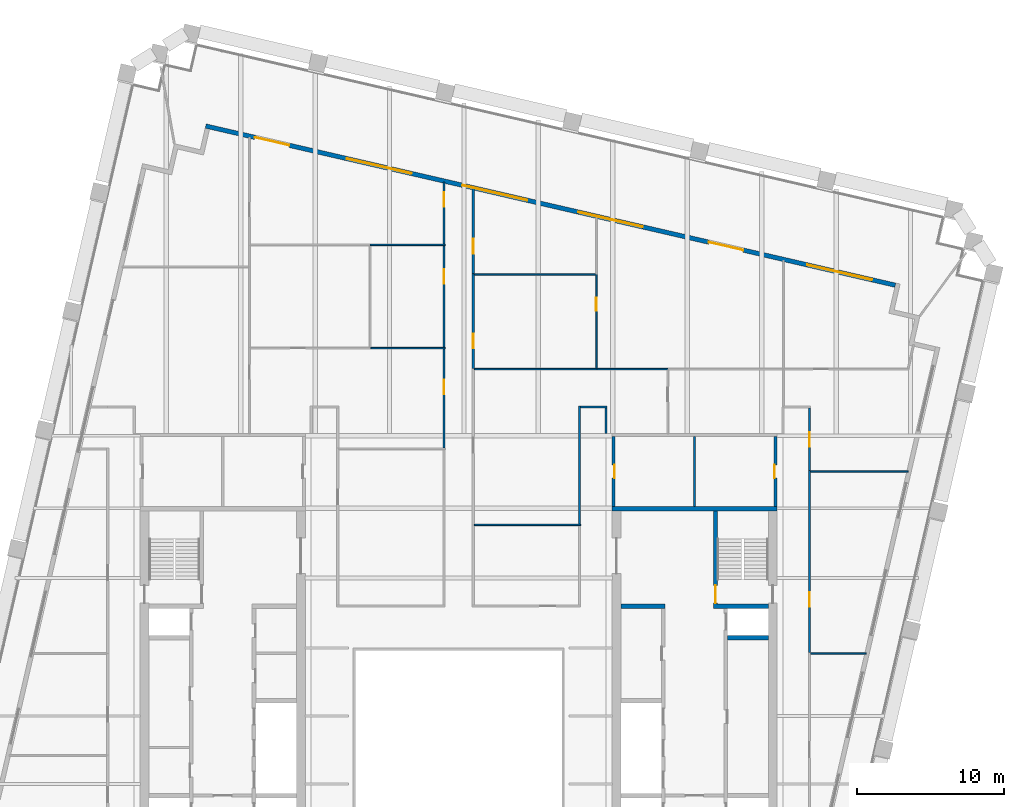
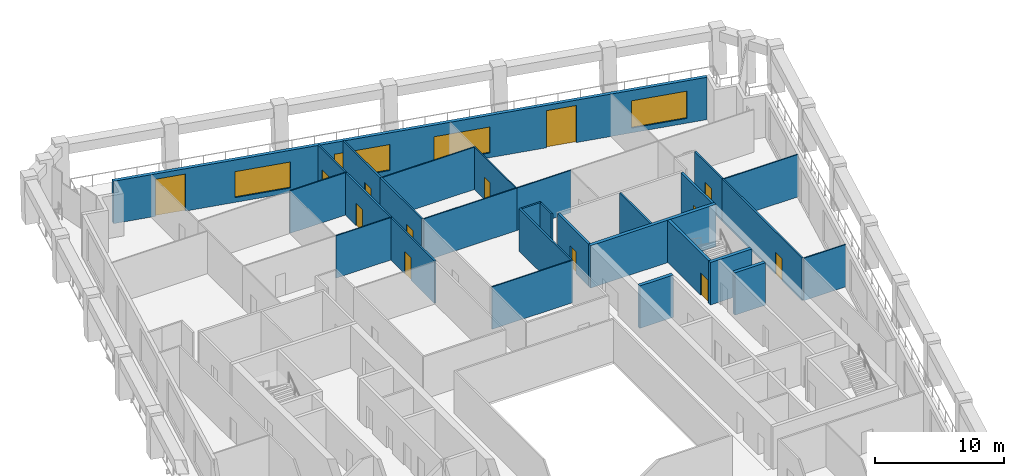
# One storey, part 8 of 10: 28 walls, 13 doors, 4 windows, 17 openings.
"""IFC4 building model written with IfcOpenShell, lengths in metres."""

from ifc_helpers import new_model, si_unit, direction, frame, frame_2d, origin, place, context, subcontext, project, spatial, rectangle, extrude, material, layer, layer_set, type_object, element, fill, save


model = new_model("IFC4")

# Units and contexts
model_context = context("Model", 3, precision=1e-05, world=origin(), true_north=direction((0.0, 1.0)))
body_context = subcontext(model_context, "Body", "Model", "MODEL_VIEW")
ifc_project = project(units=[si_unit("LENGTHUNIT", "METRE"), si_unit("AREAUNIT", "SQUARE_METRE"), si_unit("VOLUMEUNIT", "CUBIC_METRE"), si_unit("PLANEANGLEUNIT", "RADIAN"), si_unit("MASSUNIT", "GRAM", prefix="KILO")], contexts=[model_context])

# Site, building, storey
site_placement = place(None, origin())
site = spatial("IfcSite", under=ifc_project, at=site_placement, CompositionType="ELEMENT")
building_placement = place(site_placement, origin())
building = spatial("IfcBuilding", under=site, at=building_placement, Name="Ogive Exchange Tower", CompositionType="ELEMENT")
storey_placement = place(building_placement, frame((0.0, 0.0, 272.39990234375)))
storey = spatial("IfcBuildingStorey", under=building, at=storey_placement, Name="L59", CompositionType="ELEMENT", Elevation=272.39990234375)

# Walls
ifc_material_1 = material(Name="Gypsum board partition")
ifc_layer_1 = layer(ifc_material_1, 0.14990234375)
ifc_layer_set_1 = layer_set([ifc_layer_1], Name="Core room partition 150 gypsum")
wall_type_1 = type_object("IfcWallType", Name="Core room partition 150 gypsum", PredefinedType="PARTITIONING", material=ifc_layer_set_1)
wall_1_placement = place(storey_placement, frame((16.0, 25.75, 0.0), z_axis=(0.0, 0.0, 1.0), x_axis=(0.0, 1.0, 0.0)))
element("IfcWall", 1, at=wall_1_placement, inside=storey, type_object=wall_type_1, Name="E annex N column wall", PredefinedType="PARTITIONING", context=body_context, shape_type="SweptSolid", body=[
    extrude(rectangle(XDim=4.75, YDim=0.14990234375, at=frame_2d((2.375, 0.0))), origin(), (0.0, 0.0, 1.0), 4.0),
])
ifc_layer_2 = layer(ifc_material_1, 0.300048828125)
ifc_layer_set_2 = layer_set([ifc_layer_2], Name="Core room partition 300 gypsum")
wall_type_2 = type_object("IfcWallType", Name="Core room partition 300 gypsum", PredefinedType="PARTITIONING", material=ifc_layer_set_2)
wall_2_placement = place(storey_placement, frame((11.0, 19.0, 0.0), z_axis=(0.0, 0.0, 1.0), x_axis=(1.0, 0.0, 0.0)))
element("IfcWall", 2, at=wall_2_placement, inside=storey, type_object=wall_type_2, Name="E row B room end wall 7", PredefinedType="PARTITIONING", context=body_context, shape_type="SweptSolid", body=[
    extrude(rectangle(XDim=3.0, YDim=0.300048828125, at=frame_2d((1.5, 0.0))), origin(), (0.0, 0.0, 1.0), 4.0),
])

# Wall, opening, door
ifc_material_2 = material(Name="Fire partition EI 60 150")
ifc_layer_3 = layer(ifc_material_2, 0.14990234375)
ifc_layer_set_3 = layer_set([ifc_layer_3], Name="Fire partition EI 60 150")
wall_type_3 = type_object("IfcWallType", Name="Fire partition EI 60 150", PredefinedType="PARTITIONING", material=ifc_layer_set_3)
wall_3_placement = place(storey_placement, frame((-0.989990234375, 29.7099609375, 0.0), z_axis=(0.0, 0.0, 1.0), x_axis=(0.0, 1.0, 0.0)))
wall_3 = element("IfcWall", 3, at=wall_3_placement, inside=storey, type_object=wall_type_3, Name="L59-PWL-032", PredefinedType="PARTITIONING", context=body_context, shape_type="SweptSolid", body=[
    extrude(rectangle(XDim=6.739990234375, YDim=0.14990234375, at=frame_2d((3.3701171875, 0.0))), origin(), (0.0, 0.0, 1.0), 4.0),
])
opening_1_placement = place(wall_3_placement, frame((3.639892578125, 0.0, 0.0)))
opening_1 = element("IfcOpeningElement", 4, at=opening_1_placement, cuts=wall_3, Name="Opening L59-I16", PredefinedType="OPENING", context=body_context, shape_type="SweptSolid", body=[
    extrude(rectangle(XDim=1.0, YDim=2.10009765625, at=frame_2d((0.5, 1.050048828125))), frame((0.0, 0.0849609375, 0.0), z_axis=(0.0, -1.0, 0.0), x_axis=(1.0, 0.0, 0.0)), (0.0, 0.0, 1.0), 0.169921875),
])
ifc_material_3 = material(Name="Fire door FD 30S 1000 x 2100")
door_type_1 = type_object("IfcDoorType", Name="Fire door FD 30S 1000 x 2100", OperationType="NOTDEFINED", PredefinedType="DOOR", material=ifc_material_3)
door_1_placement = place(opening_1_placement, origin())
door_1 = element("IfcDoor", 5, at=door_1_placement, inside=storey, type_object=door_type_1, Name="L59-IDR-016", ObjectType="DT3", OperationType="SINGLE_SWING_LEFT", OverallHeight=2.10009765625, OverallWidth=1.0, PredefinedType="DOOR", context=body_context, shape_type="SweptSolid", body=[
    extrude(rectangle(XDim=1.0, YDim=2.10009765625, at=frame_2d((0.5, 1.050048828125))), frame((0.0, 0.02490234375, 0.0), z_axis=(0.0, -1.0, 0.0), x_axis=(1.0, 0.0, 0.0)), (0.0, 0.0, 1.0), 0.050048828125),
])
fill(opening_1, door_1)

wall_4_placement = place(storey_placement, frame((-0.989990234375, 36.550048828125, 0.0), z_axis=(0.0, 0.0, 1.0), x_axis=(0.0, 1.0, 0.0)))
wall_4 = element("IfcWall", 6, at=wall_4_placement, inside=storey, type_object=wall_type_3, Name="L59-PWL-033", PredefinedType="PARTITIONING", context=body_context, shape_type="SweptSolid", body=[
    extrude(rectangle(XDim=6.89990234375, YDim=0.14990234375, at=frame_2d((3.449951171875, 0.0))), origin(), (0.0, 0.0, 1.0), 4.0),
])
opening_2_placement = place(wall_4_placement, frame((4.300048828125, 0.0, 0.0)))
opening_2 = element("IfcOpeningElement", 7, at=opening_2_placement, cuts=wall_4, Name="Opening L59-I18", PredefinedType="OPENING", context=body_context, shape_type="SweptSolid", body=[
    extrude(rectangle(XDim=1.0, YDim=2.10009765625, at=frame_2d((0.5, 1.050048828125))), frame((0.0, 0.0849609375, 0.0), z_axis=(0.0, -1.0, 0.0), x_axis=(1.0, 0.0, 0.0)), (0.0, 0.0, 1.0), 0.169921875),
])
door_2_placement = place(opening_2_placement, origin())
door_2 = element("IfcDoor", 8, at=door_2_placement, inside=storey, type_object=door_type_1, Name="L59-IDR-018", ObjectType="DT3", OperationType="SINGLE_SWING_LEFT", OverallHeight=2.10009765625, OverallWidth=1.0, PredefinedType="DOOR", context=body_context, shape_type="SweptSolid", body=[
    extrude(rectangle(XDim=1.0, YDim=2.10009765625, at=frame_2d((0.5, 1.050048828125))), frame((0.0, 0.02490234375, 0.0), z_axis=(0.0, -1.0, 0.0), x_axis=(1.0, 0.0, 0.0)), (0.0, 0.0, 1.0), 0.050048828125),
])
fill(opening_2, door_2)

wall_5_placement = place(storey_placement, frame((-0.989990234375, 43.550048828125, 0.0), z_axis=(0.0, 0.0, 1.0), x_axis=(0.0, 1.0, 0.0)))
wall_5 = element("IfcWall", 9, at=wall_5_placement, inside=storey, type_object=wall_type_3, Name="L59-PWL-034", PredefinedType="PARTITIONING", context=body_context, shape_type="SweptSolid", body=[
    extrude(rectangle(XDim=4.202880859375, YDim=0.14990234375, at=frame_2d((2.1015625, 0.0))), origin(), (0.0, 0.0, 1.0), 4.0),
])
opening_3_placement = place(wall_5_placement, frame((2.530029296875, 0.0, 0.0)))
opening_3 = element("IfcOpeningElement", 10, at=opening_3_placement, cuts=wall_5, Name="Opening L59-I19", PredefinedType="OPENING", context=body_context, shape_type="SweptSolid", body=[
    extrude(rectangle(XDim=1.0, YDim=2.10009765625, at=frame_2d((0.5, 1.050048828125))), frame((0.0, 0.0849609375, 0.0), z_axis=(0.0, -1.0, 0.0), x_axis=(1.0, 0.0, 0.0)), (0.0, 0.0, 1.0), 0.169921875),
])
door_3_placement = place(opening_3_placement, origin())
door_3 = element("IfcDoor", 11, at=door_3_placement, inside=storey, type_object=door_type_1, Name="L59-IDR-019", ObjectType="DT3", OperationType="SINGLE_SWING_LEFT", OverallHeight=2.10009765625, OverallWidth=1.0, PredefinedType="DOOR", context=body_context, shape_type="SweptSolid", body=[
    extrude(rectangle(XDim=1.0, YDim=2.10009765625, at=frame_2d((0.5, 1.050048828125))), frame((0.0, 0.02490234375, 0.0), z_axis=(0.0, -1.0, 0.0), x_axis=(1.0, 0.0, 0.0)), (0.0, 0.0, 1.0), 0.050048828125),
])
fill(opening_3, door_3)

wall_6_placement = place(storey_placement, frame((0.989990234375, 41.550048828125, 0.0), z_axis=(0.0, 0.0, 1.0), x_axis=(0.0, -1.0, 0.0)))
wall_6 = element("IfcWall", 12, at=wall_6_placement, inside=storey, type_object=wall_type_3, Name="L59-PWL-040", PredefinedType="PARTITIONING", context=body_context, shape_type="SweptSolid", body=[
    extrude(rectangle(XDim=6.429931640625, YDim=0.14990234375, at=frame_2d((3.21484375, 0.0))), origin(), (0.0, 0.0, 1.0), 4.0),
])
opening_4_placement = place(wall_6_placement, frame((4.080078125, 0.0, 0.0)))
opening_4 = element("IfcOpeningElement", 13, at=opening_4_placement, cuts=wall_6, Name="Opening L59-I03", PredefinedType="OPENING", context=body_context, shape_type="SweptSolid", body=[
    extrude(rectangle(XDim=1.0, YDim=2.10009765625, at=frame_2d((0.5, 1.050048828125))), frame((0.0, 0.0849609375, 0.0), z_axis=(0.0, -1.0, 0.0), x_axis=(1.0, 0.0, 0.0)), (0.0, 0.0, 1.0), 0.169921875),
])
door_4_placement = place(opening_4_placement, origin())
door_4 = element("IfcDoor", 14, at=door_4_placement, inside=storey, type_object=door_type_1, Name="L59-IDR-003", ObjectType="DT3", OperationType="SINGLE_SWING_LEFT", OverallHeight=2.10009765625, OverallWidth=1.0, PredefinedType="DOOR", context=body_context, shape_type="SweptSolid", body=[
    extrude(rectangle(XDim=1.0, YDim=2.10009765625, at=frame_2d((0.5, 1.050048828125))), frame((0.0, 0.02490234375, 0.0), z_axis=(0.0, -1.0, 0.0), x_axis=(1.0, 0.0, 0.0)), (0.0, 0.0, 1.0), 0.050048828125),
])
fill(opening_4, door_4)

wall_7_placement = place(storey_placement, frame((0.989990234375, 47.2958984375, 0.0), z_axis=(0.0, 0.0, 1.0), x_axis=(0.0, -1.0, 0.0)))
wall_7 = element("IfcWall", 15, at=wall_7_placement, inside=storey, type_object=wall_type_3, Name="L59-PWL-041", PredefinedType="PARTITIONING", context=body_context, shape_type="SweptSolid", body=[
    extrude(rectangle(XDim=5.745849609375, YDim=0.14990234375, at=frame_2d((2.873046875, 0.0))), origin(), (0.0, 0.0, 1.0), 4.0),
])
opening_5_placement = place(wall_7_placement, frame((3.39599609375, 0.0, 0.0)))
opening_5 = element("IfcOpeningElement", 16, at=opening_5_placement, cuts=wall_7, Name="Opening L59-I02", PredefinedType="OPENING", context=body_context, shape_type="SweptSolid", body=[
    extrude(rectangle(XDim=1.0, YDim=2.10009765625, at=frame_2d((0.5, 1.050048828125))), frame((0.0, 0.0849609375, 0.0), z_axis=(0.0, -1.0, 0.0), x_axis=(1.0, 0.0, 0.0)), (0.0, 0.0, 1.0), 0.169921875),
])
door_5_placement = place(opening_5_placement, origin())
door_5 = element("IfcDoor", 17, at=door_5_placement, inside=storey, type_object=door_type_1, Name="L59-IDR-002", ObjectType="DT3", OperationType="SINGLE_SWING_LEFT", OverallHeight=2.10009765625, OverallWidth=1.0, PredefinedType="DOOR", context=body_context, shape_type="SweptSolid", body=[
    extrude(rectangle(XDim=1.0, YDim=2.10009765625, at=frame_2d((0.5, 1.050048828125))), frame((0.0, 0.02490234375, 0.0), z_axis=(0.0, -1.0, 0.0), x_axis=(1.0, 0.0, 0.0)), (0.0, 0.0, 1.0), 0.050048828125),
])
fill(opening_5, door_5)

# Walls
wall_8_placement = place(storey_placement, frame((8.199951171875, 24.550048828125, 0.0), z_axis=(0.0, 0.0, 1.0), x_axis=(0.0, 1.0, 0.0)))
element("IfcWall", 18, at=wall_8_placement, inside=storey, type_object=wall_type_3, Name="L59-PWL-043", PredefinedType="PARTITIONING", context=body_context, shape_type="SweptSolid", body=[
    extrude(rectangle(XDim=8.02490234375, YDim=0.14990234375, at=frame_2d((4.012451171875, 0.0))), origin(), (0.0, 0.0, 1.0), 4.0),
])
wall_9_placement = place(storey_placement, frame((8.27490234375, 32.5, 0.0), z_axis=(0.0, 0.0, 1.0), x_axis=(1.0, 0.0, 0.0)))
element("IfcWall", 19, at=wall_9_placement, inside=storey, type_object=wall_type_3, Name="L59-PWL-044", PredefinedType="PARTITIONING", context=body_context, shape_type="SweptSolid", body=[
    extrude(rectangle(XDim=1.800048828125, YDim=0.14990234375, at=frame_2d((0.89990234375, 0.0))), origin(), (0.0, 0.0, 1.0), 4.0),
])
wall_10_placement = place(storey_placement, frame((10.0, 32.425048828125, 0.0), z_axis=(0.0, 0.0, 1.0), x_axis=(0.0, -1.0, 0.0)))
element("IfcWall", 20, at=wall_10_placement, inside=storey, type_object=wall_type_3, Name="L59-PWL-053", PredefinedType="PARTITIONING", context=body_context, shape_type="SweptSolid", body=[
    extrude(rectangle(XDim=1.72509765625, YDim=0.14990234375, at=frame_2d((0.862548828125, 0.0))), origin(), (0.0, 0.0, 1.0), 4.0),
])

# Wall, opening, door
wall_11_placement = place(storey_placement, frame((23.800048828125, 28.18994140625, 0.0), z_axis=(0.0, 0.0, 1.0), x_axis=(0.0, -1.0, 0.0)))
wall_11 = element("IfcWall", 21, at=wall_11_placement, inside=storey, type_object=wall_type_3, Name="L59-PWL-068", PredefinedType="PARTITIONING", context=body_context, shape_type="SweptSolid", body=[
    extrude(rectangle(XDim=12.349853515625, YDim=0.14990234375, at=frame_2d((6.1748046875, 0.0))), origin(), (0.0, 0.0, 1.0), 4.0),
])
opening_6_placement = place(wall_11_placement, frame((8.25, 0.0, 0.0)))
opening_6 = element("IfcOpeningElement", 22, at=opening_6_placement, cuts=wall_11, Name="Opening L59-I11", PredefinedType="OPENING", context=body_context, shape_type="SweptSolid", body=[
    extrude(rectangle(XDim=1.0, YDim=2.10009765625, at=frame_2d((0.5, 1.050048828125))), frame((0.0, 0.0849609375, 0.0), z_axis=(0.0, -1.0, 0.0), x_axis=(1.0, 0.0, 0.0)), (0.0, 0.0, 1.0), 0.169921875),
])
door_6_placement = place(opening_6_placement, origin())
door_6 = element("IfcDoor", 23, at=door_6_placement, inside=storey, type_object=door_type_1, Name="L59-IDR-011", ObjectType="DT3", OperationType="SINGLE_SWING_LEFT", OverallHeight=2.10009765625, OverallWidth=1.0, PredefinedType="DOOR", context=body_context, shape_type="SweptSolid", body=[
    extrude(rectangle(XDim=1.0, YDim=2.10009765625, at=frame_2d((0.5, 1.050048828125))), frame((0.0, 0.02490234375, 0.0), z_axis=(0.0, -1.0, 0.0), x_axis=(1.0, 0.0, 0.0)), (0.0, 0.0, 1.0), 0.050048828125),
])
fill(opening_6, door_6)

wall_12_placement = place(storey_placement, frame((23.800048828125, 32.425048828125, 0.0), z_axis=(0.0, 0.0, 1.0), x_axis=(0.0, -1.0, 0.0)))
wall_12 = element("IfcWall", 24, at=wall_12_placement, inside=storey, type_object=wall_type_3, Name="L59-PWL-070", PredefinedType="PARTITIONING", context=body_context, shape_type="SweptSolid", body=[
    extrude(rectangle(XDim=4.235107421875, YDim=0.14990234375, at=frame_2d((2.11767578125, 0.0))), origin(), (0.0, 0.0, 1.0), 4.0),
])
opening_7_placement = place(wall_12_placement, frame((1.635009765625, 0.0, 0.0)))
opening_7 = element("IfcOpeningElement", 25, at=opening_7_placement, cuts=wall_12, Name="Opening L59-I12", PredefinedType="OPENING", context=body_context, shape_type="SweptSolid", body=[
    extrude(rectangle(XDim=1.0, YDim=2.10009765625, at=frame_2d((0.5, 1.050048828125))), frame((0.0, 0.0849609375, 0.0), z_axis=(0.0, -1.0, 0.0), x_axis=(1.0, 0.0, 0.0)), (0.0, 0.0, 1.0), 0.169921875),
])
door_7_placement = place(opening_7_placement, origin())
door_7 = element("IfcDoor", 26, at=door_7_placement, inside=storey, type_object=door_type_1, Name="L59-IDR-012", ObjectType="DT3", OperationType="SINGLE_SWING_LEFT", OverallHeight=2.10009765625, OverallWidth=1.0, PredefinedType="DOOR", context=body_context, shape_type="SweptSolid", body=[
    extrude(rectangle(XDim=1.0, YDim=2.10009765625, at=frame_2d((0.5, 1.050048828125))), frame((0.0, 0.02490234375, 0.0), z_axis=(0.0, -1.0, 0.0), x_axis=(1.0, 0.0, 0.0)), (0.0, 0.0, 1.0), 0.050048828125),
])
fill(opening_7, door_7)

# Wall, openings, doors, windows
ifc_material_4 = material(Name="Precast concrete C40/50", Category="concrete")
ifc_layer_4 = layer(ifc_material_4, 0.300048828125)
ifc_layer_set_4 = layer_set([ifc_layer_4], Name="Limestone-faced wall 300")
wall_type_4 = type_object("IfcWallType", Name="Limestone-faced wall 300", PredefinedType="STANDARD", material=ifc_layer_set_4)
wall_13_placement = place(storey_placement, frame((29.6162109375, 40.75830078125, 0.0), z_axis=(0.0, 0.0, 1.0), x_axis=(-0.974370532314, 0.224949029246, 0.0)))
wall_13 = element("IfcWall", 27, at=wall_13_placement, inside=storey, type_object=wall_type_4, Name="External wall N3", PredefinedType="STANDARD", context=body_context, shape_type="SweptSolid", body=[
    extrude(rectangle(XDim=48.000244140625, YDim=0.300048828125, at=frame_2d((24.0, 0.0))), origin(), (0.0, 0.0, 1.0), 4.0),
])
opening_8_placement = place(wall_13_placement, frame((1.625, 0.0, 0.449951171875)))
opening_8 = element("IfcOpeningElement", 28, at=opening_8_placement, cuts=wall_13, Name="Opening W1M", PredefinedType="OPENING", context=body_context, shape_type="SweptSolid", body=[
    extrude(rectangle(XDim=4.5, YDim=2.574951171875, at=frame_2d((2.25, 1.28759765625))), frame((0.0, 0.159912109375, 0.0), z_axis=(0.0, -1.0, 0.0), x_axis=(1.0, 0.0, 0.0)), (0.0, 0.0, 1.0), 0.320068359375),
])
opening_9_placement = place(wall_13_placement, frame((10.574951171875, 0.0, 0.0)))
opening_9 = element("IfcOpeningElement", 29, at=opening_9_placement, cuts=wall_13, Name="Opening D1", PredefinedType="OPENING", context=body_context, shape_type="SweptSolid", body=[
    extrude(rectangle(XDim=2.39990234375, YDim=3.5, at=frame_2d((1.199951171875, 1.75))), frame((0.0, 0.159912109375, 0.0), z_axis=(0.0, -1.0, 0.0), x_axis=(1.0, 0.0, 0.0)), (0.0, 0.0, 1.0), 0.320068359375),
])
opening_10_placement = place(wall_13_placement, frame((17.574951171875, 0.0, 0.449951171875)))
opening_10 = element("IfcOpeningElement", 30, at=opening_10_placement, cuts=wall_13, Name="Opening W1Q", PredefinedType="OPENING", context=body_context, shape_type="SweptSolid", body=[
    extrude(rectangle(XDim=4.5, YDim=2.449951171875, at=frame_2d((2.25, 1.22509765625))), frame((0.0, 0.159912109375, 0.0), z_axis=(0.0, -1.0, 0.0), x_axis=(1.0, 0.0, 0.0)), (0.0, 0.0, 1.0), 0.320068359375),
])
opening_11_placement = place(wall_13_placement, frame((25.625, 0.0, 0.449951171875)))
opening_11 = element("IfcOpeningElement", 31, at=opening_11_placement, cuts=wall_13, Name="Opening W1Q", PredefinedType="OPENING", context=body_context, shape_type="SweptSolid", body=[
    extrude(rectangle(XDim=4.5, YDim=2.449951171875, at=frame_2d((2.25, 1.22509765625))), frame((0.0, 0.159912109375, 0.0), z_axis=(0.0, -1.0, 0.0), x_axis=(1.0, 0.0, 0.0)), (0.0, 0.0, 1.0), 0.320068359375),
])
opening_12_placement = place(wall_13_placement, frame((33.675048828125, 0.0, 0.449951171875)))
opening_12 = element("IfcOpeningElement", 32, at=opening_12_placement, cuts=wall_13, Name="Opening W1Q", PredefinedType="OPENING", context=body_context, shape_type="SweptSolid", body=[
    extrude(rectangle(XDim=4.5, YDim=2.449951171875, at=frame_2d((2.25, 1.22509765625))), frame((0.0, 0.159912109375, 0.0), z_axis=(0.0, -1.0, 0.0), x_axis=(1.0, 0.0, 0.0)), (0.0, 0.0, 1.0), 0.320068359375),
])
opening_13_placement = place(wall_13_placement, frame((42.175048828125, 0.0, 0.0)))
opening_13 = element("IfcOpeningElement", 33, at=opening_13_placement, cuts=wall_13, Name="Opening D1", PredefinedType="OPENING", context=body_context, shape_type="SweptSolid", body=[
    extrude(rectangle(XDim=2.39990234375, YDim=3.5, at=frame_2d((1.199951171875, 1.75))), frame((0.0, 0.159912109375, 0.0), z_axis=(0.0, -1.0, 0.0), x_axis=(1.0, 0.0, 0.0)), (0.0, 0.0, 1.0), 0.320068359375),
])
ifc_material_5 = material(Name="Clear glass in bronze frame", Category="glass")
door_type_2 = type_object("IfcDoorType", Name="Sliding loggia door 2400 x 3500", OperationType="DOUBLE_DOOR_SLIDING", PredefinedType="DOOR", material=ifc_material_5)
door_8_placement = place(opening_9_placement, origin())
door_8 = element("IfcDoor", 34, at=door_8_placement, inside=storey, type_object=door_type_2, Name="Loggia door N01", OperationType="DOUBLE_DOOR_SLIDING", OverallHeight=3.5, OverallWidth=2.39990234375, PredefinedType="DOOR", context=body_context, shape_type="SweptSolid", body=[
    extrude(rectangle(XDim=2.39990234375, YDim=3.5, at=frame_2d((1.199951171875, 1.75))), frame((0.0, 0.02490234375, 0.0), z_axis=(0.0, -1.0, 0.0), x_axis=(1.0, 0.0, 0.0)), (0.0, 0.0, 1.0), 0.050048828125),
])
fill(opening_9, door_8)
door_9_placement = place(opening_13_placement, origin())
door_9 = element("IfcDoor", 35, at=door_9_placement, inside=storey, type_object=door_type_2, Name="Loggia door N05", OperationType="DOUBLE_DOOR_SLIDING", OverallHeight=3.5, OverallWidth=2.39990234375, PredefinedType="DOOR", context=body_context, shape_type="SweptSolid", body=[
    extrude(rectangle(XDim=2.39990234375, YDim=3.5, at=frame_2d((1.199951171875, 1.75))), frame((0.0, 0.02490234375, 0.0), z_axis=(0.0, -1.0, 0.0), x_axis=(1.0, 0.0, 0.0)), (0.0, 0.0, 1.0), 0.050048828125),
])
fill(opening_13, door_9)
window_type_1 = type_object("IfcWindowType", Name="Twin lancet window 4500 x 2450", PartitioningType="DOUBLE_PANEL_VERTICAL", PredefinedType="WINDOW", material=ifc_material_5)
window_1_placement = place(opening_10_placement, origin())
window_1 = element("IfcWindow", 36, at=window_1_placement, inside=storey, type_object=window_type_1, Name="Window N02", OverallHeight=2.449951171875, OverallWidth=4.5, PartitioningType="DOUBLE_PANEL_VERTICAL", PredefinedType="WINDOW", context=body_context, shape_type="SweptSolid", body=[
    extrude(rectangle(XDim=4.5, YDim=2.449951171875, at=frame_2d((2.25, 1.22509765625))), frame((0.0, 0.030029296875, 0.0), z_axis=(0.0, -1.0, 0.0), x_axis=(1.0, 0.0, 0.0)), (0.0, 0.0, 1.0), 0.06005859375),
])
fill(opening_10, window_1)
window_2_placement = place(opening_11_placement, origin())
window_2 = element("IfcWindow", 37, at=window_2_placement, inside=storey, type_object=window_type_1, Name="Window N03", OverallHeight=2.449951171875, OverallWidth=4.5, PartitioningType="DOUBLE_PANEL_VERTICAL", PredefinedType="WINDOW", context=body_context, shape_type="SweptSolid", body=[
    extrude(rectangle(XDim=4.5, YDim=2.449951171875, at=frame_2d((2.25, 1.22509765625))), frame((0.0, 0.030029296875, 0.0), z_axis=(0.0, -1.0, 0.0), x_axis=(1.0, 0.0, 0.0)), (0.0, 0.0, 1.0), 0.06005859375),
])
fill(opening_11, window_2)
window_3_placement = place(opening_12_placement, origin())
window_3 = element("IfcWindow", 38, at=window_3_placement, inside=storey, type_object=window_type_1, Name="Window N04", OverallHeight=2.449951171875, OverallWidth=4.5, PartitioningType="DOUBLE_PANEL_VERTICAL", PredefinedType="WINDOW", context=body_context, shape_type="SweptSolid", body=[
    extrude(rectangle(XDim=4.5, YDim=2.449951171875, at=frame_2d((2.25, 1.22509765625))), frame((0.0, 0.030029296875, 0.0), z_axis=(0.0, -1.0, 0.0), x_axis=(1.0, 0.0, 0.0)), (0.0, 0.0, 1.0), 0.06005859375),
])
fill(opening_12, window_3)
window_type_2 = type_object("IfcWindowType", Name="Twin lancet window 4500 x 2575", PartitioningType="DOUBLE_PANEL_VERTICAL", PredefinedType="WINDOW", material=ifc_material_5)
window_4_placement = place(opening_8_placement, origin())
window_4 = element("IfcWindow", 39, at=window_4_placement, inside=storey, type_object=window_type_2, Name="Window N00", OverallHeight=2.574951171875, OverallWidth=4.5, PartitioningType="DOUBLE_PANEL_VERTICAL", PredefinedType="WINDOW", context=body_context, shape_type="SweptSolid", body=[
    extrude(rectangle(XDim=4.5, YDim=2.574951171875, at=frame_2d((2.25, 1.28759765625))), frame((0.0, 0.030029296875, 0.0), z_axis=(0.0, -1.0, 0.0), x_axis=(1.0, 0.0, 0.0)), (0.0, 0.0, 1.0), 0.06005859375),
])
fill(opening_8, window_4)

# Walls
ifc_material_6 = material(Name="Partition 100 gypsum")
ifc_layer_5 = layer(ifc_material_6, 0.10009765625)
ifc_layer_set_5 = layer_set([ifc_layer_5], Name="Partition 100 gypsum")
wall_type_5 = type_object("IfcWallType", Name="Partition 100 gypsum", PredefinedType="PARTITIONING", material=ifc_layer_set_5)
wall_14_placement = place(storey_placement, frame((-5.949951171875, 36.5, 0.0), z_axis=(0.0, 0.0, 1.0), x_axis=(1.0, 0.0, 0.0)))
element("IfcWall", 40, at=wall_14_placement, inside=storey, type_object=wall_type_5, Name="L59-PWL-028", PredefinedType="PARTITIONING", context=body_context, shape_type="SweptSolid", body=[
    extrude(rectangle(XDim=5.034912109375, YDim=0.10009765625, at=frame_2d((2.517578125, 0.0))), origin(), (0.0, 0.0, 1.0), 4.0),
])
wall_15_placement = place(storey_placement, frame((-6.0, 43.5, 0.0), z_axis=(0.0, 0.0, 1.0), x_axis=(1.0, 0.0, 0.0)))
element("IfcWall", 41, at=wall_15_placement, inside=storey, type_object=wall_type_5, Name="L59-PWL-030", PredefinedType="PARTITIONING", context=body_context, shape_type="SweptSolid", body=[
    extrude(rectangle(XDim=5.0849609375, YDim=0.10009765625, at=frame_2d((2.54248046875, 0.0))), origin(), (0.0, 0.0, 1.0), 4.0),
])
wall_16_placement = place(storey_placement, frame((1.06494140625, 24.5, 0.0), z_axis=(0.0, 0.0, 1.0), x_axis=(1.0, 0.0, 0.0)))
element("IfcWall", 42, at=wall_16_placement, inside=storey, type_object=wall_type_5, Name="L59-PWL-038", PredefinedType="PARTITIONING", context=body_context, shape_type="SweptSolid", body=[
    extrude(rectangle(XDim=7.2099609375, YDim=0.10009765625, at=frame_2d((3.60498046875, 0.0))), origin(), (0.0, 0.0, 1.0), 4.0),
])
wall_17_placement = place(storey_placement, frame((9.389892578125, 35.070068359375, 0.0), z_axis=(0.0, 0.0, 1.0), x_axis=(-1.0, 0.0, 0.0)))
element("IfcWall", 43, at=wall_17_placement, inside=storey, type_object=wall_type_5, Name="L59-PWL-047", PredefinedType="PARTITIONING", context=body_context, shape_type="SweptSolid", body=[
    extrude(rectangle(XDim=8.324951171875, YDim=0.10009765625, at=frame_2d((4.16259765625, 0.0))), origin(), (0.0, 0.0, 1.0), 4.0),
])

# Wall, opening, door
wall_18_placement = place(storey_placement, frame((9.340087890625, 35.1201171875, 0.0), z_axis=(0.0, 0.0, 1.0), x_axis=(0.0, 1.0, 0.0)))
wall_18 = element("IfcWall", 44, at=wall_18_placement, inside=storey, type_object=wall_type_5, Name="L59-PWL-048", PredefinedType="PARTITIONING", context=body_context, shape_type="SweptSolid", body=[
    extrude(rectangle(XDim=6.429931640625, YDim=0.10009765625, at=frame_2d((3.21484375, 0.0))), origin(), (0.0, 0.0, 1.0), 4.0),
])
opening_14_placement = place(wall_18_placement, frame((3.89990234375, 0.0, 0.0)))
opening_14 = element("IfcOpeningElement", 45, at=opening_14_placement, cuts=wall_18, Name="Opening L59-I01", PredefinedType="OPENING", context=body_context, shape_type="SweptSolid", body=[
    extrude(rectangle(XDim=0.89990234375, YDim=2.10009765625, at=frame_2d((0.449951171875, 1.050048828125))), frame((0.0, 0.06005859375, 0.0), z_axis=(0.0, -1.0, 0.0), x_axis=(1.0, 0.0, 0.0)), (0.0, 0.0, 1.0), 0.1201171875),
])
ifc_material_7 = material(Name="Door 900 x 2100")
door_type_3 = type_object("IfcDoorType", Name="Door 900 x 2100", OperationType="NOTDEFINED", PredefinedType="DOOR", material=ifc_material_7)
door_10_placement = place(opening_14_placement, origin())
door_10 = element("IfcDoor", 46, at=door_10_placement, inside=storey, type_object=door_type_3, Name="L59-IDR-001", ObjectType="DT1", OperationType="SINGLE_SWING_LEFT", OverallHeight=2.10009765625, OverallWidth=0.89990234375, PredefinedType="DOOR", context=body_context, shape_type="SweptSolid", body=[
    extrude(rectangle(XDim=0.89990234375, YDim=2.10009765625, at=frame_2d((0.449951171875, 1.050048828125))), frame((0.0, 0.02490234375, 0.0), z_axis=(0.0, -1.0, 0.0), x_axis=(1.0, 0.0, 0.0)), (0.0, 0.0, 1.0), 0.050048828125),
])
fill(opening_14, door_10)

# Walls
wall_19_placement = place(storey_placement, frame((9.2900390625, 41.5, 0.0), z_axis=(0.0, 0.0, 1.0), x_axis=(-1.0, 0.0, 0.0)))
element("IfcWall", 47, at=wall_19_placement, inside=storey, type_object=wall_type_5, Name="L59-PWL-049", PredefinedType="PARTITIONING", context=body_context, shape_type="SweptSolid", body=[
    extrude(rectangle(XDim=8.22509765625, YDim=0.10009765625, at=frame_2d((4.112548828125, 0.0))), origin(), (0.0, 0.0, 1.0), 4.0),
])
wall_20_placement = place(storey_placement, frame((14.18994140625, 35.070068359375, 0.0), z_axis=(0.0, 0.0, 1.0), x_axis=(-1.0, 0.0, 0.0)))
element("IfcWall", 48, at=wall_20_placement, inside=storey, type_object=wall_type_5, Name="L59-PWL-056", PredefinedType="PARTITIONING", context=body_context, shape_type="SweptSolid", body=[
    extrude(rectangle(XDim=4.800048828125, YDim=0.10009765625, at=frame_2d((2.39990234375, 0.0))), origin(), (0.0, 0.0, 1.0), 4.0),
])
wall_21_placement = place(storey_placement, frame((23.875, 15.7900390625, 0.0), z_axis=(0.0, 0.0, 1.0), x_axis=(1.0, 0.0, 0.0)))
element("IfcWall", 49, at=wall_21_placement, inside=storey, type_object=wall_type_5, Name="L59-PWL-067", PredefinedType="PARTITIONING", context=body_context, shape_type="SweptSolid", body=[
    extrude(rectangle(XDim=3.75390625, YDim=0.10009765625, at=frame_2d((1.876953125, 0.0))), origin(), (0.0, 0.0, 1.0), 4.0),
])
wall_22_placement = place(storey_placement, frame((23.875, 28.139892578125, 0.0), z_axis=(0.0, 0.0, 1.0), x_axis=(1.0, 0.0, 0.0)))
element("IfcWall", 50, at=wall_22_placement, inside=storey, type_object=wall_type_5, Name="L59-PWL-069", PredefinedType="PARTITIONING", context=body_context, shape_type="SweptSolid", body=[
    extrude(rectangle(XDim=6.60498046875, YDim=0.10009765625, at=frame_2d((3.302490234375, 0.0))), origin(), (0.0, 0.0, 1.0), 4.0),
])

# Wall, opening, door
ifc_material_8 = material(Name="Concrete C70/85", Category="concrete")
ifc_layer_6 = layer(ifc_material_8, 0.199951171875)
ifc_layer_set_6 = layer_set([ifc_layer_6], Name="RC core wall 200 C70/85")
wall_type_6 = type_object("IfcWallType", Name="RC core wall 200 C70/85", PredefinedType="SHEAR", material=ifc_layer_set_6)
wall_23_placement = place(storey_placement, frame((21.5, 25.75, 0.0), z_axis=(0.0, 0.0, 1.0), x_axis=(0.0, 1.0, 0.0)))
wall_23 = element("IfcWall", 51, at=wall_23_placement, inside=storey, type_object=wall_type_6, Name="E annex N outer wall", PredefinedType="SHEAR", context=body_context, shape_type="SweptSolid", body=[
    extrude(rectangle(XDim=4.75, YDim=0.199951171875, at=frame_2d((2.375, 0.0))), origin(), (0.0, 0.0, 1.0), 4.0),
])
opening_15_placement = place(wall_23_placement, frame((1.925048828125, 0.0, 0.0)))
opening_15 = element("IfcOpeningElement", 52, at=opening_15_placement, cuts=wall_23, Name="Opening L59-C37", PredefinedType="OPENING", context=body_context, shape_type="SweptSolid", body=[
    extrude(rectangle(XDim=0.89990234375, YDim=2.10009765625, at=frame_2d((0.449951171875, 1.050048828125))), frame((0.0, 0.10986328125, 0.0), z_axis=(0.0, -1.0, 0.0), x_axis=(1.0, 0.0, 0.0)), (0.0, 0.0, 1.0), 0.219970703125),
])
ifc_material_9 = material(Name="Steel fire door", Category="steel")
door_type_4 = type_object("IfcDoorType", Name="Riser door FD60 900 x 2100", OperationType="NOTDEFINED", PredefinedType="DOOR", material=ifc_material_9)
door_11_placement = place(opening_15_placement, frame((0.89990234375, 0.14990234375, 0.0), z_axis=(0.0, 0.0, 1.0), x_axis=(-1.0, 0.0, 0.0)))
door_11 = element("IfcDoor", 53, at=door_11_placement, inside=storey, type_object=door_type_4, Name="Riser door", ObjectType="CD2", OperationType="SINGLE_SWING_RIGHT", OverallHeight=2.10009765625, OverallWidth=0.89990234375, PredefinedType="DOOR", context=body_context, shape_type="SweptSolid", body=[
    extrude(rectangle(XDim=0.89990234375, YDim=2.10009765625, at=frame_2d((0.449951171875, 1.050048828125))), frame((0.0, 0.10009765625, 0.0), z_axis=(0.0, -1.0, 0.0), x_axis=(1.0, 0.0, 0.0)), (0.0, 0.0, 1.0), 0.050048828125),
])
fill(opening_15, door_11)

wall_24_placement = place(storey_placement, frame((10.5, 25.75, 0.0), z_axis=(0.0, 0.0, 1.0), x_axis=(0.0, 1.0, 0.0)))
wall_24 = element("IfcWall", 54, at=wall_24_placement, inside=storey, type_object=wall_type_6, Name="E annex N inner wall", PredefinedType="SHEAR", context=body_context, shape_type="SweptSolid", body=[
    extrude(rectangle(XDim=4.75, YDim=0.199951171875, at=frame_2d((2.375, 0.0))), origin(), (0.0, 0.0, 1.0), 4.0),
])
opening_16_placement = place(wall_24_placement, frame((1.925048828125, 0.0, 0.0)))
opening_16 = element("IfcOpeningElement", 55, at=opening_16_placement, cuts=wall_24, Name="Opening L59-C38", PredefinedType="OPENING", context=body_context, shape_type="SweptSolid", body=[
    extrude(rectangle(XDim=0.89990234375, YDim=2.10009765625, at=frame_2d((0.449951171875, 1.050048828125))), frame((0.0, 0.10986328125, 0.0), z_axis=(0.0, -1.0, 0.0), x_axis=(1.0, 0.0, 0.0)), (0.0, 0.0, 1.0), 0.219970703125),
])
ifc_material_10 = material(Name="Timber fire door", Category="wood")
door_type_5 = type_object("IfcDoorType", Name="Core room door FD30S 900 x 2100", OperationType="NOTDEFINED", PredefinedType="DOOR", material=ifc_material_10)
door_12_placement = place(opening_16_placement, origin())
door_12 = element("IfcDoor", 56, at=door_12_placement, inside=storey, type_object=door_type_5, Name="Core room door", ObjectType="CD6", OperationType="SINGLE_SWING_RIGHT", OverallHeight=2.10009765625, OverallWidth=0.89990234375, PredefinedType="DOOR", context=body_context, shape_type="SweptSolid", body=[
    extrude(rectangle(XDim=0.89990234375, YDim=2.10009765625, at=frame_2d((0.449951171875, 1.050048828125))), frame((0.0, -0.0498046875, 0.0), z_axis=(0.0, -1.0, 0.0), x_axis=(1.0, 0.0, 0.0)), (0.0, 0.0, 1.0), 0.050048828125),
])
fill(opening_16, door_12)

ifc_layer_7 = layer(ifc_material_8, 0.25)
ifc_layer_set_7 = layer_set([ifc_layer_7], Name="RC core wall 250 C70/85")
wall_type_7 = type_object("IfcWallType", Name="RC core wall 250 C70/85", PredefinedType="SHEAR", material=ifc_layer_set_7)
wall_25_placement = place(storey_placement, frame((17.425048828125, 19.14990234375, 0.0), z_axis=(0.0, 0.0, 1.0), x_axis=(0.0, 1.0, 0.0)))
wall_25 = element("IfcWall", 57, at=wall_25_placement, inside=storey, type_object=wall_type_7, Name="E stair N front wall", PredefinedType="SHEAR", context=body_context, shape_type="SweptSolid", body=[
    extrude(rectangle(XDim=6.300048828125, YDim=0.25, at=frame_2d((3.14990234375, 0.0))), origin(), (0.0, 0.0, 1.0), 4.0),
])
opening_17_placement = place(wall_25_placement, frame((0.050048828125, 0.0, 0.0)))
opening_17 = element("IfcOpeningElement", 58, at=opening_17_placement, cuts=wall_25, Name="Opening L59-C33", PredefinedType="OPENING", context=body_context, shape_type="SweptSolid", body=[
    extrude(rectangle(XDim=1.199951171875, YDim=2.10009765625, at=frame_2d((0.60009765625, 1.050048828125))), frame((0.0, 0.135009765625, 0.0), z_axis=(0.0, -1.0, 0.0), x_axis=(1.0, 0.0, 0.0)), (0.0, 0.0, 1.0), 0.27001953125),
])
door_type_6 = type_object("IfcDoorType", Name="Stair door FD90 1200 x 2100", OperationType="NOTDEFINED", PredefinedType="DOOR", material=ifc_material_9)
door_13_placement = place(opening_17_placement, frame((1.199951171875, 0.0, 0.0), z_axis=(0.0, 0.0, 1.0), x_axis=(-1.0, 0.0, 0.0)))
door_13 = element("IfcDoor", 59, at=door_13_placement, inside=storey, type_object=door_type_6, Name="Stair door", ObjectType="CD5", OperationType="SINGLE_SWING_LEFT", OverallHeight=2.10009765625, OverallWidth=1.199951171875, PredefinedType="DOOR", context=body_context, shape_type="SweptSolid", body=[
    extrude(rectangle(XDim=1.199951171875, YDim=2.10009765625, at=frame_2d((0.60009765625, 1.050048828125))), frame((0.0, 0.02490234375, 0.0), z_axis=(0.0, -1.0, 0.0), x_axis=(1.0, 0.0, 0.0)), (0.0, 0.0, 1.0), 0.050048828125),
])
fill(opening_17, door_13)

# Walls
ifc_layer_8 = layer(ifc_material_8, 0.300048828125)
ifc_layer_set_8 = layer_set([ifc_layer_8], Name="RC core wall 300 C70/85")
wall_type_8 = type_object("IfcWallType", Name="RC core wall 300 C70/85", PredefinedType="SHEAR", material=ifc_layer_set_8)
wall_26_placement = place(storey_placement, frame((10.39990234375, 25.60009765625, 0.0), z_axis=(0.0, 0.0, 1.0), x_axis=(1.0, 0.0, 0.0)))
element("IfcWall", 60, at=wall_26_placement, inside=storey, type_object=wall_type_8, Name="E north end wall", PredefinedType="SHEAR", context=body_context, shape_type="SweptSolid", body=[
    extrude(rectangle(XDim=11.2001953125, YDim=0.300048828125, at=frame_2d((5.60009765625, 0.0))), origin(), (0.0, 0.0, 1.0), 4.0),
])
wall_27_placement = place(storey_placement, frame((17.300048828125, 19.0, 0.0), z_axis=(0.0, 0.0, 1.0), x_axis=(1.0, 0.0, 0.0)))
element("IfcWall", 61, at=wall_27_placement, inside=storey, type_object=wall_type_8, Name="E stair N south wall", PredefinedType="SHEAR", context=body_context, shape_type="SweptSolid", body=[
    extrude(rectangle(XDim=3.699951171875, YDim=0.300048828125, at=frame_2d((1.85009765625, 0.0))), origin(), (0.0, 0.0, 1.0), 4.0),
])
wall_28_placement = place(storey_placement, frame((18.25, 16.857177734375, 0.0), z_axis=(0.0, 0.0, 1.0), x_axis=(1.0, 0.0, 0.0)))
element("IfcWall", 62, at=wall_28_placement, inside=storey, type_object=wall_type_8, Name="E row A divider 6", PredefinedType="SHEAR", context=body_context, shape_type="SweptSolid", body=[
    extrude(rectangle(XDim=2.75, YDim=0.300048828125, at=frame_2d((1.375, 0.0))), origin(), (0.0, 0.0, 1.0), 4.0),
])

save(model, "model.ifc")
